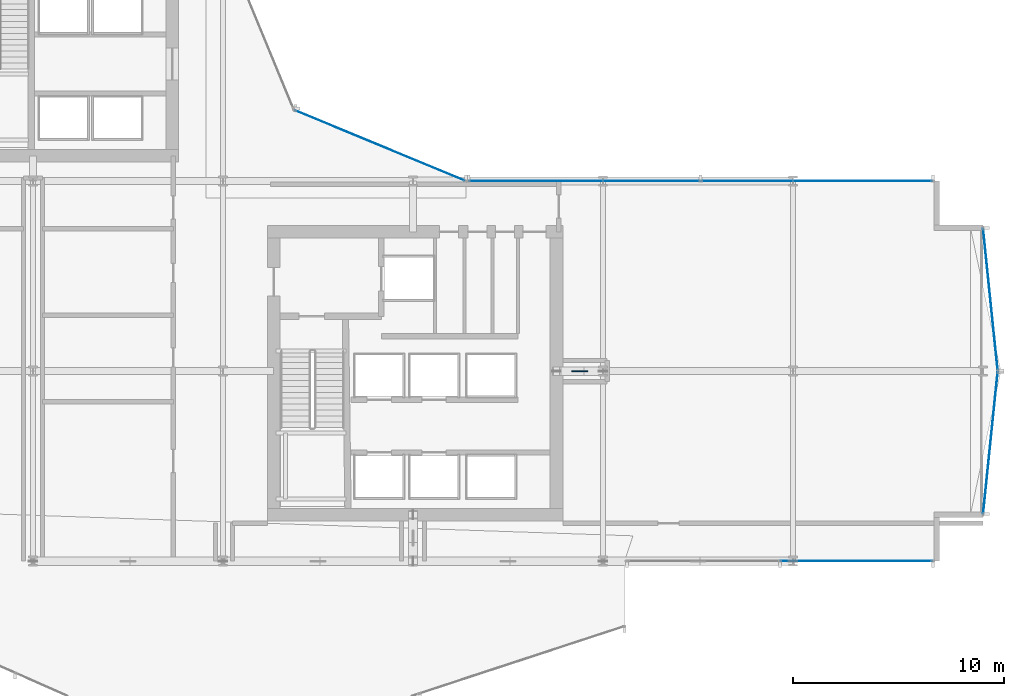
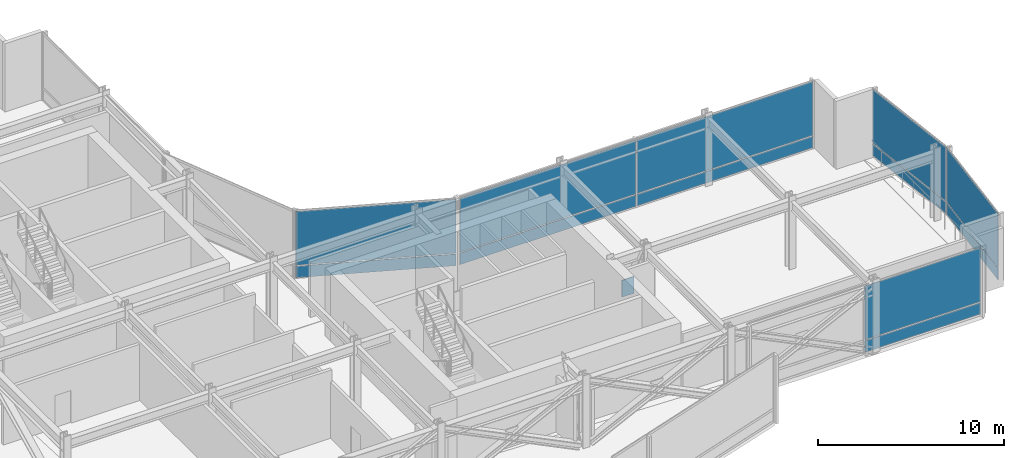
# One storey, part 29 of 42: 13 plates, 5 elements without a shape of their own.
"""IFC4 building model written with IfcOpenShell, lengths in metres."""

from ifc_helpers import new_model, si_unit, direction, frame, origin, origin_2d, place, context, subcontext, project, spatial, rectangle, extrude, material, layer, layer_set, type_object, element, aggregate, save


model = new_model("IFC4")

# Units and contexts
model_context = context("Model", 3, precision=1e-05, world=origin(), true_north=direction((0.0, 1.0)))
body_context = subcontext(model_context, "Body", "Model", "MODEL_VIEW")
ifc_project = project(units=[si_unit("LENGTHUNIT", "METRE"), si_unit("AREAUNIT", "SQUARE_METRE"), si_unit("VOLUMEUNIT", "CUBIC_METRE"), si_unit("PLANEANGLEUNIT", "RADIAN"), si_unit("MASSUNIT", "GRAM", prefix="KILO")], contexts=[model_context])

# Site, building, storey
site_placement = place(None, origin())
site = spatial("IfcSite", under=ifc_project, at=site_placement, CompositionType="ELEMENT")
building_placement = place(site_placement, origin())
building = spatial("IfcBuilding", under=site, at=building_placement, Name="Solvaryn Broadcast Tower", CompositionType="ELEMENT")
storey_placement = place(building_placement, frame((0.0, 0.0, 100.199951171875)))
storey = spatial("IfcBuildingStorey", under=building, at=storey_placement, Name="L24", CompositionType="ELEMENT", Elevation=100.199951171875)

# Curtain wall, plates
ifc_material_1 = material(Name="Aluminium and Terracotta Unitised Curtain Wall", Category="masonry")
ifc_layer_1 = layer(ifc_material_1, 0.199951171875)
ifc_layer_set_1 = layer_set([ifc_layer_1], Name="CW-SYS2-LOWMID")
curtain_wall_type = type_object("IfcCurtainWallType", Name="CW-SYS2-LOWMID", PredefinedType="NOTDEFINED", material=ifc_layer_set_1)
curtain_wall_1_placement = place(storey_placement, origin())
curtain_wall_1 = element("IfcCurtainWall", 1, at=curtain_wall_1_placement, inside=storey, type_object=curtain_wall_type, Name="L24 Curtain Wall CN1", PredefinedType="NOTDEFINED")
ifc_material_2 = material(Name="Kiln-Fired Architectural Terracotta Spandrel", Category="masonry")
ifc_layer_2 = layer(ifc_material_2, 0.048095703125)
ifc_layer_set_2 = layer_set([ifc_layer_2], Name="CW-PNL-TERRACOTTA")
plate_type_1 = type_object("IfcPlateType", Name="CW-PNL-TERRACOTTA", PredefinedType="CURTAIN_PANEL", material=ifc_layer_set_2)
plate_1_placement = place(storey_placement, frame((34.43408203125, 28.68408203125, 0.06005859375), z_axis=(0.0, 0.0, 1.0), x_axis=(-0.923894983957, 0.382646127145, 0.0)))
plate_1 = element("IfcPlate", 2, at=plate_1_placement, type_object=plate_type_1, Name="CWS2 panel 1.1", PredefinedType="CURTAIN_PANEL", context=body_context, shape_type="SweptSolid", body=[
    extrude(rectangle(XDim=8.681884765625, YDim=0.028076171875, at=origin_2d()), origin(), (0.0, 0.0, 1.0), 0.760009765625),
])
plate_2_placement = place(storey_placement, frame((34.43408203125, 28.68408203125, 0.8798828125), z_axis=(0.0, 0.0, 1.0), x_axis=(-0.923894983957, 0.382646127145, 0.0)))
plate_2 = element("IfcPlate", 3, at=plate_2_placement, type_object=plate_type_1, Name="CWS2 panel 1.2", PredefinedType="CURTAIN_PANEL", context=body_context, shape_type="SweptSolid", body=[
    extrude(rectangle(XDim=8.681884765625, YDim=0.028076171875, at=origin_2d()), origin(), (0.0, 0.0, 1.0), 3.530029296875),
])
aggregate(curtain_wall_1, [plate_1, plate_2])

curtain_wall_2_placement = place(storey_placement, origin())
curtain_wall_2 = element("IfcCurtainWall", 4, at=curtain_wall_2_placement, inside=storey, type_object=curtain_wall_type, Name="L24 Curtain Wall S2", PredefinedType="NOTDEFINED")
plate_3_placement = place(storey_placement, frame((57.00146484375, 9.0, 0.06005859375), z_axis=(0.0, 0.0, 1.0), x_axis=(1.0, 0.0, 0.0)))
plate_3 = element("IfcPlate", 5, at=plate_3_placement, type_object=plate_type_1, Name="CWS2 panel 2.1", PredefinedType="CURTAIN_PANEL", context=body_context, shape_type="SweptSolid", body=[
    extrude(rectangle(XDim=7.177001953125, YDim=0.028076171875, at=origin_2d()), origin(), (0.0, 0.0, 1.0), 0.760009765625),
])
plate_4_placement = place(storey_placement, frame((57.00146484375, 9.0, 0.8798828125), z_axis=(0.0, 0.0, 1.0), x_axis=(1.0, 0.0, 0.0)))
plate_4 = element("IfcPlate", 6, at=plate_4_placement, type_object=plate_type_1, Name="CWS2 panel 2.2", PredefinedType="CURTAIN_PANEL", context=body_context, shape_type="SweptSolid", body=[
    extrude(rectangle(XDim=7.177001953125, YDim=0.028076171875, at=origin_2d()), origin(), (0.0, 0.0, 1.0), 3.530029296875),
])
aggregate(curtain_wall_2, [plate_3, plate_4])

curtain_wall_3_placement = place(storey_placement, origin())
curtain_wall_3 = element("IfcCurtainWall", 7, at=curtain_wall_3_placement, inside=storey, type_object=curtain_wall_type, Name="L24 Curtain Wall ET1", PredefinedType="NOTDEFINED")
plate_5_placement = place(storey_placement, frame((63.35009765625, 21.39990234375, 0.06005859375), z_axis=(0.0, 0.0, 1.0), x_axis=(0.10240004548, -0.99474329889, 0.0)))
plate_5 = element("IfcPlate", 8, at=plate_5_placement, type_object=plate_type_1, Name="CWS2 panel 1.1", PredefinedType="CURTAIN_PANEL", context=body_context, shape_type="SweptSolid", body=[
    extrude(rectangle(XDim=6.7158203125, YDim=0.028076171875, at=origin_2d()), origin(), (0.0, 0.0, 1.0), 0.760009765625),
])
plate_6_placement = place(storey_placement, frame((63.35009765625, 21.39990234375, 0.8798828125), z_axis=(0.0, 0.0, 1.0), x_axis=(0.10240004548, -0.99474329889, 0.0)))
plate_6 = element("IfcPlate", 9, at=plate_6_placement, type_object=plate_type_1, Name="CWS2 panel 1.2", PredefinedType="CURTAIN_PANEL", context=body_context, shape_type="SweptSolid", body=[
    extrude(rectangle(XDim=6.7158203125, YDim=0.028076171875, at=origin_2d()), origin(), (0.0, 0.0, 1.0), 3.530029296875),
])
aggregate(curtain_wall_3, [plate_5, plate_6])

curtain_wall_4_placement = place(storey_placement, origin())
curtain_wall_4 = element("IfcCurtainWall", 10, at=curtain_wall_4_placement, inside=storey, type_object=curtain_wall_type, Name="L24 Curtain Wall ET2", PredefinedType="NOTDEFINED")
plate_7_placement = place(storey_placement, frame((63.35009765625, 14.60009765625, 0.06005859375), z_axis=(0.0, 0.0, 1.0), x_axis=(-0.10240004548, -0.99474329889, 0.0)))
plate_7 = element("IfcPlate", 11, at=plate_7_placement, type_object=plate_type_1, Name="CWS2 panel 1.1", PredefinedType="CURTAIN_PANEL", context=body_context, shape_type="SweptSolid", body=[
    extrude(rectangle(XDim=6.7158203125, YDim=0.028076171875, at=origin_2d()), origin(), (0.0, 0.0, 1.0), 0.760009765625),
])
plate_8_placement = place(storey_placement, frame((63.35009765625, 14.60009765625, 0.8798828125), z_axis=(0.0, 0.0, 1.0), x_axis=(-0.10240004548, -0.99474329889, 0.0)))
plate_8 = element("IfcPlate", 12, at=plate_8_placement, type_object=plate_type_1, Name="CWS2 panel 1.2", PredefinedType="CURTAIN_PANEL", context=body_context, shape_type="SweptSolid", body=[
    extrude(rectangle(XDim=6.7158203125, YDim=0.028076171875, at=origin_2d()), origin(), (0.0, 0.0, 1.0), 3.530029296875),
])
aggregate(curtain_wall_4, [plate_7, plate_8])

curtain_wall_5_placement = place(storey_placement, origin())
curtain_wall_5 = element("IfcCurtainWall", 13, at=curtain_wall_5_placement, inside=storey, type_object=curtain_wall_type, Name="L24 Curtain Wall IH", PredefinedType="NOTDEFINED")
plate_9_placement = place(storey_placement, frame((44.12744140625, 27.0, 0.06005859375), z_axis=(0.0, 0.0, 1.0), x_axis=(1.0, 0.0, 0.0)))
plate_9 = element("IfcPlate", 14, at=plate_9_placement, type_object=plate_type_1, Name="CWS2 panel 1.1", PredefinedType="CURTAIN_PANEL", context=body_context, shape_type="SweptSolid", body=[
    extrude(rectangle(XDim=10.93505859375, YDim=0.028076171875, at=origin_2d()), origin(), (0.0, 0.0, 1.0), 0.760009765625),
])
plate_10_placement = place(storey_placement, frame((44.12744140625, 27.0, 0.8798828125), z_axis=(0.0, 0.0, 1.0), x_axis=(1.0, 0.0, 0.0)))
plate_10 = element("IfcPlate", 15, at=plate_10_placement, type_object=plate_type_1, Name="CWS2 panel 1.2", PredefinedType="CURTAIN_PANEL", context=body_context, shape_type="SweptSolid", body=[
    extrude(rectangle(XDim=10.93505859375, YDim=0.028076171875, at=origin_2d()), origin(), (0.0, 0.0, 1.0), 3.530029296875),
])
plate_11_placement = place(storey_placement, frame((55.12255859375, 27.0, 0.06005859375), z_axis=(0.0, 0.0, 1.0), x_axis=(1.0, 0.0, 0.0)))
plate_11 = element("IfcPlate", 16, at=plate_11_placement, type_object=plate_type_1, Name="CWS2 panel 2.1", PredefinedType="CURTAIN_PANEL", context=body_context, shape_type="SweptSolid", body=[
    extrude(rectangle(XDim=10.93505859375, YDim=0.028076171875, at=origin_2d()), origin(), (0.0, 0.0, 1.0), 0.760009765625),
])
plate_12_placement = place(storey_placement, frame((55.12255859375, 27.0, 0.8798828125), z_axis=(0.0, 0.0, 1.0), x_axis=(1.0, 0.0, 0.0)))
plate_12 = element("IfcPlate", 17, at=plate_12_placement, type_object=plate_type_1, Name="CWS2 panel 2.2", PredefinedType="CURTAIN_PANEL", context=body_context, shape_type="SweptSolid", body=[
    extrude(rectangle(XDim=10.93505859375, YDim=0.028076171875, at=origin_2d()), origin(), (0.0, 0.0, 1.0), 3.530029296875),
])
aggregate(curtain_wall_5, [plate_9, plate_10, plate_11, plate_12])

# Plate
ifc_material_3 = material(Name="Steel ASTM A572 Grade 50", Category="steel")
ifc_layer_3 = layer(ifc_material_3, 0.050048828125)
ifc_layer_set_3 = layer_set([ifc_layer_3], Name="PL-GUSSET-50")
plate_type_2 = type_object("IfcPlateType", Name="PL-GUSSET-50", PredefinedType="SHEET", material=ifc_layer_set_3)
plate_13_placement = place(storey_placement, frame((43.89990234375, 18.0, 1.68505859375), z_axis=(0.0, 0.0, 1.0), x_axis=(1.0, 0.0, 0.0)))
element("IfcPlate", 18, at=plate_13_placement, inside=storey, type_object=plate_type_2, Name="L24 Outrigger X-Brace E X-Crossing Gusset Node Plate", PredefinedType="SHEET", context=body_context, shape_type="SweptSolid", body=[
    extrude(rectangle(XDim=0.75, YDim=0.050048828125, at=origin_2d()), origin(), (0.0, 0.0, 1.0), 1.10009765625),
])

save(model, "model.ifc")
